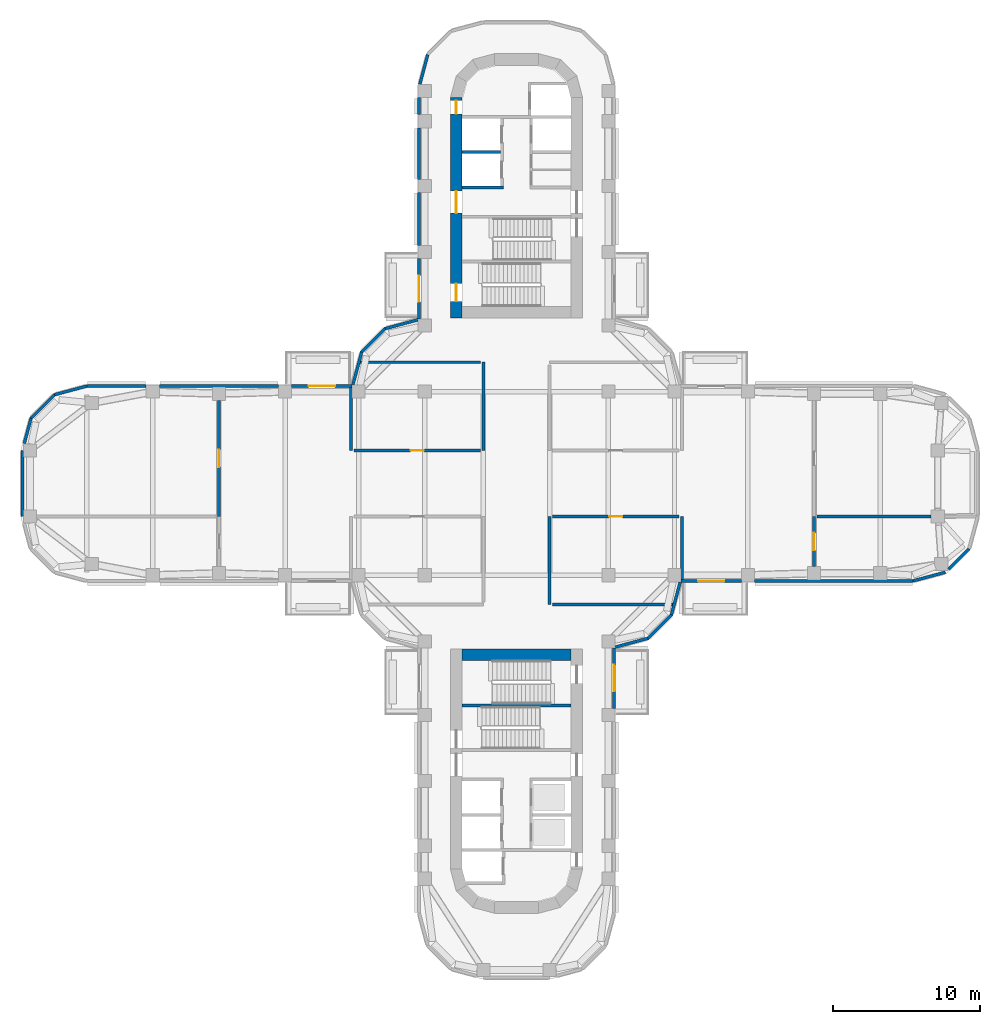
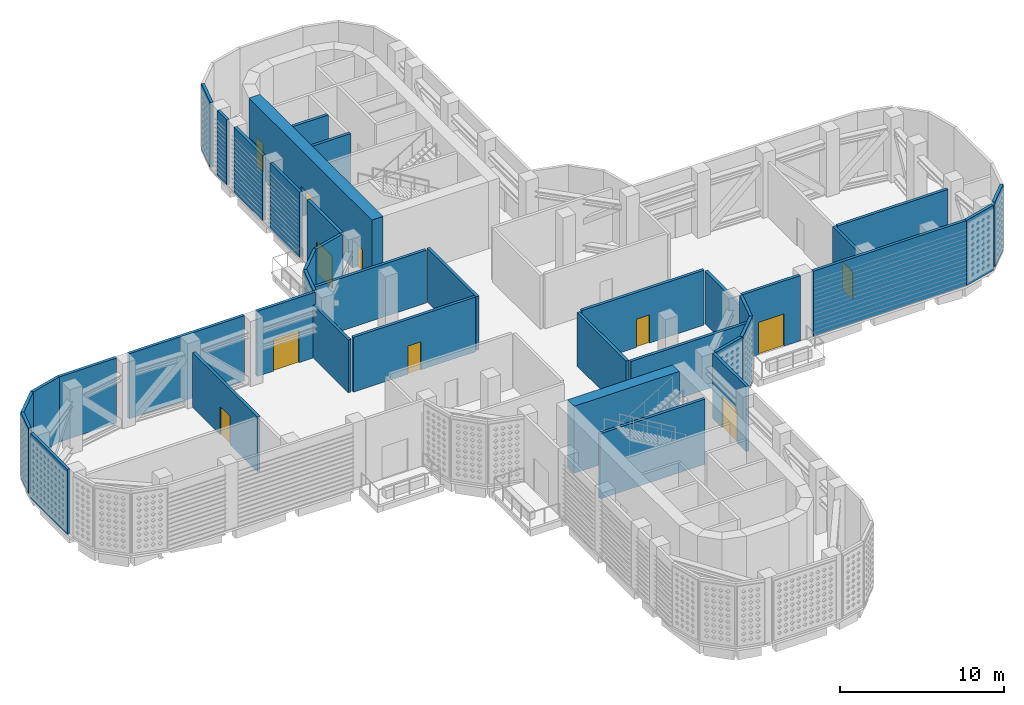
# One storey, part 6 of 20: 39 walls, 11 doors, 11 openings.
"""IFC4 building model written with IfcOpenShell, lengths in metres."""

from ifc_helpers import new_model, si_unit, direction, frame, frame_2d, origin, place, context, subcontext, project, spatial, polyline, rectangle, outline, extrude, material, layer, layer_set, type_object, element, fill, save


model = new_model("IFC4")

# Units and contexts
model_context = context("Model", 3, precision=1e-05, world=origin(), true_north=direction((0.0, 1.0)))
body_context = subcontext(model_context, "Body", "Model", "MODEL_VIEW")
ifc_project = project(units=[si_unit("LENGTHUNIT", "METRE"), si_unit("AREAUNIT", "SQUARE_METRE"), si_unit("VOLUMEUNIT", "CUBIC_METRE"), si_unit("PLANEANGLEUNIT", "RADIAN"), si_unit("MASSUNIT", "GRAM", prefix="KILO")], contexts=[model_context])

# Site, building, storey
site_placement = place(None, origin())
site = spatial("IfcSite", under=ifc_project, at=site_placement, CompositionType="ELEMENT")
building_placement = place(site_placement, origin())
building = spatial("IfcBuilding", under=site, at=building_placement, Name="Zarbagh Exchange Tower", CompositionType="ELEMENT")
storey_placement = place(building_placement, frame((0.0, 0.0, 136.0)))
storey = spatial("IfcBuildingStorey", under=building, at=storey_placement, Name="L32", CompositionType="ELEMENT", Elevation=136.0)

# Wall, opening, door
ifc_material_1 = material(Name="Concrete block partition", Category="concrete")
ifc_layer_1 = layer(ifc_material_1, 0.199951171875)
ifc_layer_set_1 = layer_set([ifc_layer_1], Name="Fire-rated block partition 200 EI 120")
wall_type_1 = type_object("IfcWallType", Name="Fire-rated block partition 200 EI 120", PredefinedType="PARTITIONING", material=ifc_layer_set_1)
wall_1_placement = place(storey_placement, frame((20.25, -5.659912109375, 0.0), z_axis=(0.0, 0.0, 1.0), x_axis=(0.0, 1.0, 0.0)))
wall_1 = element("IfcWall", 1, at=wall_1_placement, inside=storey, type_object=wall_type_1, Name="WL-L32-W017", PredefinedType="PARTITIONING", context=body_context, shape_type="SweptSolid", body=[
    extrude(rectangle(XDim=3.409912109375, YDim=0.199951171875, at=frame_2d((1.705078125, 0.0))), origin(), (0.0, 0.0, 1.0), 4.080810546875),
])
opening_1_placement = place(wall_1_placement, frame((1.10498046875, 0.0, 0.0)))
opening_1 = element("IfcOpeningElement", 2, at=opening_1_placement, cuts=wall_1, Name="Opening D05", PredefinedType="OPENING", context=body_context, shape_type="SweptSolid", body=[
    extrude(rectangle(XDim=1.199951171875, YDim=2.10009765625, at=frame_2d((0.60009765625, 1.050048828125))), frame((0.0, 0.10986328125, 0.0), z_axis=(0.0, -1.0, 0.0), x_axis=(1.0, 0.0, 0.0)), (0.0, 0.0, 1.0), 0.219970703125),
])
ifc_material_2 = material(Name="Steel door set", Category="steel")
door_type_1 = type_object("IfcDoorType", Name="Door single 1200x2100 EI 120", OperationType="SINGLE_SWING_LEFT", PredefinedType="DOOR", material=ifc_material_2)
door_1_placement = place(opening_1_placement, origin())
door_1 = element("IfcDoor", 3, at=door_1_placement, inside=storey, type_object=door_type_1, Name="D05", OperationType="SINGLE_SWING_LEFT", OverallHeight=2.10009765625, OverallWidth=1.199951171875, PredefinedType="DOOR", context=body_context, shape_type="SweptSolid", body=[
    extrude(rectangle(XDim=1.199951171875, YDim=2.10009765625, at=frame_2d((0.60009765625, 1.050048828125))), frame((0.0, 0.02490234375, 0.0), z_axis=(0.0, -1.0, 0.0), x_axis=(1.0, 0.0, 0.0)), (0.0, 0.0, 1.0), 0.050048828125),
])
fill(opening_1, door_1)

# Wall
wall_2_placement = place(storey_placement, frame((20.449951171875, -2.25, 0.0), z_axis=(0.0, 0.0, 1.0), x_axis=(1.0, 0.0, 0.0)))
element("IfcWall", 4, at=wall_2_placement, inside=storey, type_object=wall_type_1, Name="WL-L32-W019", PredefinedType="PARTITIONING", context=body_context, shape_type="SweptSolid", body=[
    extrude(rectangle(XDim=7.77001953125, YDim=0.199951171875, at=frame_2d((3.885009765625, 0.0))), origin(), (0.0, 0.0, 1.0), 4.080810546875),
])

# Wall, opening, door
wall_3_placement = place(storey_placement, frame((-20.25, 5.659912109375, 0.0), z_axis=(0.0, 0.0, 1.0), x_axis=(0.0, -1.0, 0.0)))
wall_3 = element("IfcWall", 5, at=wall_3_placement, inside=storey, type_object=wall_type_1, Name="WL-L32-W021", PredefinedType="PARTITIONING", context=body_context, shape_type="SweptSolid", body=[
    extrude(rectangle(XDim=7.909912109375, YDim=0.199951171875, at=frame_2d((3.955078125, 0.0))), origin(), (0.0, 0.0, 1.0), 4.080810546875),
])
opening_2_placement = place(wall_3_placement, frame((3.35498046875, 0.0, 0.0)))
opening_2 = element("IfcOpeningElement", 6, at=opening_2_placement, cuts=wall_3, Name="Opening D47", PredefinedType="OPENING", context=body_context, shape_type="SweptSolid", body=[
    extrude(rectangle(XDim=1.199951171875, YDim=2.10009765625, at=frame_2d((0.60009765625, 1.050048828125))), frame((0.0, 0.10986328125, 0.0), z_axis=(0.0, -1.0, 0.0), x_axis=(1.0, 0.0, 0.0)), (0.0, 0.0, 1.0), 0.219970703125),
])
door_2_placement = place(opening_2_placement, origin())
door_2 = element("IfcDoor", 7, at=door_2_placement, inside=storey, type_object=door_type_1, Name="D07", OperationType="SINGLE_SWING_LEFT", OverallHeight=2.10009765625, OverallWidth=1.199951171875, PredefinedType="DOOR", context=body_context, shape_type="SweptSolid", body=[
    extrude(rectangle(XDim=1.199951171875, YDim=2.10009765625, at=frame_2d((0.60009765625, 1.050048828125))), frame((0.0, 0.02490234375, 0.0), z_axis=(0.0, -1.0, 0.0), x_axis=(1.0, 0.0, 0.0)), (0.0, 0.0, 1.0), 0.050048828125),
])
fill(opening_2, door_2)

# Walls
ifc_layer_2 = layer(ifc_material_1, 0.199951171875)
ifc_layer_set_2 = layer_set([ifc_layer_2], Name="Fire-rated block partition 200 EI 60")
wall_type_2 = type_object("IfcWallType", Name="Fire-rated block partition 200 EI 60", PredefinedType="PARTITIONING", material=ifc_layer_set_2)
wall_4_placement = place(storey_placement, frame((2.25, -2.25, 0.0), z_axis=(0.0, 0.0, 1.0), x_axis=(0.0, -1.0, 0.0)))
element("IfcWall", 8, at=wall_4_placement, inside=storey, type_object=wall_type_2, Name="WL-L32-W003", PredefinedType="PARTITIONING", context=body_context, shape_type="SweptSolid", body=[
    extrude(rectangle(XDim=6.0, YDim=0.199951171875, at=frame_2d((3.0, 0.0))), origin(), (0.0, 0.0, 1.0), 3.994384765625),
])
wall_5_placement = place(storey_placement, frame((2.449951171875, -8.25, 0.0), z_axis=(0.0, 0.0, 1.0), x_axis=(1.0, 0.0, 0.0)))
element("IfcWall", 9, at=wall_5_placement, inside=storey, type_object=wall_type_2, Name="WL-L32-W004", PredefinedType="PARTITIONING", context=body_context, shape_type="SweptSolid", body=[
    extrude(rectangle(XDim=8.398193359375, YDim=0.199951171875, at=frame_2d((4.19921875, 0.0))), origin(), (0.0, 0.0, 1.0), 3.929931640625),
])
wall_6_placement = place(storey_placement, frame((-2.25, 2.25, 0.0), z_axis=(0.0, 0.0, 1.0), x_axis=(0.0, 1.0, 0.0)))
element("IfcWall", 10, at=wall_6_placement, inside=storey, type_object=wall_type_2, Name="WL-L32-W005", PredefinedType="PARTITIONING", context=body_context, shape_type="SweptSolid", body=[
    extrude(rectangle(XDim=6.0, YDim=0.199951171875, at=frame_2d((3.0, 0.0))), origin(), (0.0, 0.0, 1.0), 3.994384765625),
])
wall_7_placement = place(storey_placement, frame((-2.449951171875, 8.25, 0.0), z_axis=(0.0, 0.0, 1.0), x_axis=(-1.0, 0.0, 0.0)))
element("IfcWall", 11, at=wall_7_placement, inside=storey, type_object=wall_type_2, Name="WL-L32-W006", PredefinedType="PARTITIONING", context=body_context, shape_type="SweptSolid", body=[
    extrude(rectangle(XDim=8.398193359375, YDim=0.199951171875, at=frame_2d((4.19921875, 0.0))), origin(), (0.0, 0.0, 1.0), 3.929931640625),
])
wall_8_placement = place(storey_placement, frame((11.25, -2.25, 0.0), z_axis=(0.0, 0.0, 1.0), x_axis=(0.0, -1.0, 0.0)))
element("IfcWall", 12, at=wall_8_placement, inside=storey, type_object=wall_type_2, Name="WL-L32-W011", PredefinedType="PARTITIONING", context=body_context, shape_type="SweptSolid", body=[
    extrude(rectangle(XDim=4.5, YDim=0.199951171875, at=frame_2d((2.25, 0.0))), origin(), (0.0, 0.0, 1.0), 3.929931640625),
])

# Wall, opening, door
wall_9_placement = place(storey_placement, frame((11.050048828125, -2.25, 0.0), z_axis=(0.0, 0.0, 1.0), x_axis=(-1.0, 0.0, 0.0)))
wall_9 = element("IfcWall", 13, at=wall_9_placement, inside=storey, type_object=wall_type_2, Name="WL-L32-W012", PredefinedType="PARTITIONING", context=body_context, shape_type="SweptSolid", body=[
    extrude(rectangle(XDim=8.60009765625, YDim=0.199951171875, at=frame_2d((4.300048828125, 0.0))), origin(), (0.0, 0.0, 1.0), 4.080810546875),
])
opening_3_placement = place(wall_9_placement, frame((3.85009765625, 0.0, 0.0)))
opening_3 = element("IfcOpeningElement", 14, at=opening_3_placement, cuts=wall_9, Name="Opening D02", PredefinedType="OPENING", context=body_context, shape_type="SweptSolid", body=[
    extrude(rectangle(XDim=0.89990234375, YDim=2.10009765625, at=frame_2d((0.449951171875, 1.050048828125))), frame((0.0, 0.10986328125, 0.0), z_axis=(0.0, -1.0, 0.0), x_axis=(1.0, 0.0, 0.0)), (0.0, 0.0, 1.0), 0.219970703125),
])
door_type_2 = type_object("IfcDoorType", Name="Door single 900x2100 EI 60", OperationType="SINGLE_SWING_LEFT", PredefinedType="DOOR", material=ifc_material_2)
door_3_placement = place(opening_3_placement, origin())
door_3 = element("IfcDoor", 15, at=door_3_placement, inside=storey, type_object=door_type_2, Name="D02", OperationType="SINGLE_SWING_LEFT", OverallHeight=2.10009765625, OverallWidth=0.89990234375, PredefinedType="DOOR", context=body_context, shape_type="SweptSolid", body=[
    extrude(rectangle(XDim=0.89990234375, YDim=2.10009765625, at=frame_2d((0.449951171875, 1.050048828125))), frame((0.0, 0.02490234375, 0.0), z_axis=(0.0, -1.0, 0.0), x_axis=(1.0, 0.0, 0.0)), (0.0, 0.0, 1.0), 0.050048828125),
])
fill(opening_3, door_3)

# Wall
wall_10_placement = place(storey_placement, frame((-11.25, 2.25, 0.0), z_axis=(0.0, 0.0, 1.0), x_axis=(0.0, 1.0, 0.0)))
element("IfcWall", 16, at=wall_10_placement, inside=storey, type_object=wall_type_2, Name="WL-L32-W013", PredefinedType="PARTITIONING", context=body_context, shape_type="SweptSolid", body=[
    extrude(rectangle(XDim=4.5, YDim=0.199951171875, at=frame_2d((2.25, 0.0))), origin(), (0.0, 0.0, 1.0), 3.929931640625),
])

# Wall, opening, door
wall_11_placement = place(storey_placement, frame((-11.050048828125, 2.25, 0.0), z_axis=(0.0, 0.0, 1.0), x_axis=(1.0, 0.0, 0.0)))
wall_11 = element("IfcWall", 17, at=wall_11_placement, inside=storey, type_object=wall_type_2, Name="WL-L32-W014", PredefinedType="PARTITIONING", context=body_context, shape_type="SweptSolid", body=[
    extrude(rectangle(XDim=8.60009765625, YDim=0.199951171875, at=frame_2d((4.300048828125, 0.0))), origin(), (0.0, 0.0, 1.0), 4.080810546875),
])
opening_4_placement = place(wall_11_placement, frame((3.85009765625, 0.0, 0.0)))
opening_4 = element("IfcOpeningElement", 18, at=opening_4_placement, cuts=wall_11, Name="Opening D03", PredefinedType="OPENING", context=body_context, shape_type="SweptSolid", body=[
    extrude(rectangle(XDim=0.89990234375, YDim=2.10009765625, at=frame_2d((0.449951171875, 1.050048828125))), frame((0.0, 0.10986328125, 0.0), z_axis=(0.0, -1.0, 0.0), x_axis=(1.0, 0.0, 0.0)), (0.0, 0.0, 1.0), 0.219970703125),
])
door_4_placement = place(opening_4_placement, origin())
door_4 = element("IfcDoor", 19, at=door_4_placement, inside=storey, type_object=door_type_2, Name="D03", OperationType="SINGLE_SWING_LEFT", OverallHeight=2.10009765625, OverallWidth=0.89990234375, PredefinedType="DOOR", context=body_context, shape_type="SweptSolid", body=[
    extrude(rectangle(XDim=0.89990234375, YDim=2.10009765625, at=frame_2d((0.449951171875, 1.050048828125))), frame((0.0, 0.02490234375, 0.0), z_axis=(0.0, -1.0, 0.0), x_axis=(1.0, 0.0, 0.0)), (0.0, 0.0, 1.0), 0.050048828125),
])
fill(opening_4, door_4)

# Walls
ifc_material_3 = material(Name="Precast concrete C50/60", Category="concrete")
ifc_layer_3 = layer(ifc_material_3, 0.199951171875)
ifc_layer_set_3 = layer_set([ifc_layer_3], Name="Plant wall, precast concrete C50/60")
wall_type_3 = type_object("IfcWallType", Name="Plant wall, precast concrete C50/60", PredefinedType="SOLIDWALL", material=ifc_layer_set_3)
wall_12_placement = place(storey_placement, origin())
element("IfcWall", 20, at=wall_12_placement, inside=storey, type_object=wall_type_3, Name="PW05 plant wall", PredefinedType="SOLIDWALL", context=body_context, shape_type="SweptSolid", body=[
    extrude(outline(polyline([(6.75244140625, -11.228759765625), (8.98974609375, -10.629150390625), (8.88623046875, -10.449951171875), (6.70068359375, -11.035400390625), (6.75244140625, -11.228759765625)])), origin(), (0.0, 0.0, 1.0), 4.85009765625),
])
wall_13_placement = place(storey_placement, origin())
element("IfcWall", 21, at=wall_13_placement, inside=storey, type_object=wall_type_3, Name="PW06 plant wall", PredefinedType="SOLIDWALL", context=body_context, shape_type="SweptSolid", body=[
    extrude(outline(polyline([(8.98974609375, -10.629150390625), (10.629150390625, -8.98974609375), (10.449951171875, -8.88623046875), (8.88623046875, -10.449951171875), (8.98974609375, -10.629150390625)])), origin(), (0.0, 0.0, 1.0), 4.85009765625),
])
wall_14_placement = place(storey_placement, origin())
element("IfcWall", 22, at=wall_14_placement, inside=storey, type_object=wall_type_3, Name="PW07 plant wall", PredefinedType="SOLIDWALL", context=body_context, shape_type="SweptSolid", body=[
    extrude(outline(polyline([(10.629150390625, -8.98974609375), (11.228759765625, -6.75244140625), (11.035400390625, -6.70068359375), (10.449951171875, -8.88623046875), (10.629150390625, -8.98974609375)])), origin(), (0.0, 0.0, 1.0), 4.85009765625),
])
wall_15_placement = place(storey_placement, origin())
element("IfcWall", 23, at=wall_15_placement, inside=storey, type_object=wall_type_3, Name="PW49 plant wall", PredefinedType="SOLIDWALL", context=body_context, shape_type="SweptSolid", body=[
    extrude(outline(polyline([(16.199951171875, -6.72998046875), (26.997314453125, -6.72998046875), (26.970947265625, -6.530029296875), (16.199951171875, -6.530029296875), (16.199951171875, -6.72998046875)])), origin(), (0.0, 0.0, 1.0), 4.85009765625),
])
wall_16_placement = place(storey_placement, origin())
element("IfcWall", 24, at=wall_16_placement, inside=storey, type_object=wall_type_3, Name="PW50 plant wall", PredefinedType="SOLIDWALL", context=body_context, shape_type="SweptSolid", body=[
    extrude(outline(polyline([(26.997314453125, -6.72998046875), (29.23974609375, -6.129150390625), (29.13623046875, -5.949951171875), (26.970947265625, -6.530029296875), (26.997314453125, -6.72998046875)])), origin(), (0.0, 0.0, 1.0), 4.85009765625),
])
wall_17_placement = place(storey_placement, origin())
element("IfcWall", 25, at=wall_17_placement, inside=storey, type_object=wall_type_3, Name="PW51 plant wall", PredefinedType="SOLIDWALL", context=body_context, shape_type="SweptSolid", body=[
    extrude(outline(polyline([(29.46875, -5.900146484375), (30.879150390625, -4.48974609375), (30.699951171875, -4.38623046875), (29.327392578125, -5.758544921875), (29.46875, -5.900146484375)])), origin(), (0.0, 0.0, 1.0), 4.85009765625),
])
wall_18_placement = place(storey_placement, origin())
element("IfcWall", 26, at=wall_18_placement, inside=storey, type_object=wall_type_3, Name="PW65 plant wall", PredefinedType="SOLIDWALL", context=body_context, shape_type="SweptSolid", body=[
    extrude(outline(polyline([(-6.129150390625, 29.23974609375), (-6.675048828125, 27.202392578125), (-6.48193359375, 27.150634765625), (-5.949951171875, 29.13623046875), (-6.129150390625, 29.23974609375)])), origin(), (0.0, 0.0, 1.0), 4.85009765625),
])
wall_19_placement = place(storey_placement, origin())
element("IfcWall", 27, at=wall_19_placement, inside=storey, type_object=wall_type_3, Name="PW66 plant wall", PredefinedType="SOLIDWALL", context=body_context, shape_type="SweptSolid", body=[
    extrude(outline(polyline([(-6.72998046875, 26.25), (-6.72998046875, 25.10009765625), (-6.530029296875, 25.10009765625), (-6.530029296875, 26.25), (-6.72998046875, 26.25)])), origin(), (0.0, 0.0, 1.0), 4.85009765625),
])
wall_20_placement = place(storey_placement, origin())
element("IfcWall", 28, at=wall_20_placement, inside=storey, type_object=wall_type_3, Name="PW66 plant wall", PredefinedType="SOLIDWALL", context=body_context, shape_type="SweptSolid", body=[
    extrude(outline(polyline([(-6.72998046875, 24.199951171875), (-6.72998046875, 20.699951171875), (-6.530029296875, 20.699951171875), (-6.530029296875, 24.199951171875), (-6.72998046875, 24.199951171875)])), origin(), (0.0, 0.0, 1.0), 4.85009765625),
])
wall_21_placement = place(storey_placement, origin())
element("IfcWall", 29, at=wall_21_placement, inside=storey, type_object=wall_type_3, Name="PW66 plant wall", PredefinedType="SOLIDWALL", context=body_context, shape_type="SweptSolid", body=[
    extrude(outline(polyline([(-6.72998046875, 19.800048828125), (-6.72998046875, 16.199951171875), (-6.530029296875, 16.199951171875), (-6.530029296875, 19.800048828125), (-6.72998046875, 19.800048828125)])), origin(), (0.0, 0.0, 1.0), 4.85009765625),
])
wall_22_placement = place(storey_placement, origin())
element("IfcWall", 30, at=wall_22_placement, inside=storey, type_object=wall_type_3, Name="PW29 plant wall", PredefinedType="SOLIDWALL", context=body_context, shape_type="SweptSolid", body=[
    extrude(outline(polyline([(-6.75244140625, 11.228759765625), (-8.98974609375, 10.629150390625), (-8.88623046875, 10.449951171875), (-6.70068359375, 11.035400390625), (-6.75244140625, 11.228759765625)])), origin(), (0.0, 0.0, 1.0), 4.85009765625),
])
wall_23_placement = place(storey_placement, origin())
element("IfcWall", 31, at=wall_23_placement, inside=storey, type_object=wall_type_3, Name="PW30 plant wall", PredefinedType="SOLIDWALL", context=body_context, shape_type="SweptSolid", body=[
    extrude(outline(polyline([(-8.98974609375, 10.629150390625), (-10.629150390625, 8.98974609375), (-10.449951171875, 8.88623046875), (-8.88623046875, 10.449951171875), (-8.98974609375, 10.629150390625)])), origin(), (0.0, 0.0, 1.0), 4.85009765625),
])
wall_24_placement = place(storey_placement, origin())
element("IfcWall", 32, at=wall_24_placement, inside=storey, type_object=wall_type_3, Name="PW31 plant wall", PredefinedType="SOLIDWALL", context=body_context, shape_type="SweptSolid", body=[
    extrude(outline(polyline([(-10.629150390625, 8.98974609375), (-11.228759765625, 6.75244140625), (-11.035400390625, 6.70068359375), (-10.449951171875, 8.88623046875), (-10.629150390625, 8.98974609375)])), origin(), (0.0, 0.0, 1.0), 4.85009765625),
])
wall_25_placement = place(storey_placement, origin())
element("IfcWall", 33, at=wall_25_placement, inside=storey, type_object=wall_type_3, Name="PW32 plant wall", PredefinedType="SOLIDWALL", context=body_context, shape_type="SweptSolid", body=[
    extrude(outline(polyline([(-16.199951171875, 6.72998046875), (-24.300048828125, 6.72998046875), (-24.300048828125, 6.530029296875), (-16.199951171875, 6.530029296875), (-16.199951171875, 6.72998046875)])), origin(), (0.0, 0.0, 1.0), 4.85009765625),
])
wall_26_placement = place(storey_placement, origin())
element("IfcWall", 34, at=wall_26_placement, inside=storey, type_object=wall_type_3, Name="PW32 plant wall", PredefinedType="SOLIDWALL", context=body_context, shape_type="SweptSolid", body=[
    extrude(outline(polyline([(-25.199951171875, 6.72998046875), (-29.247314453125, 6.72998046875), (-29.220947265625, 6.530029296875), (-25.199951171875, 6.530029296875), (-25.199951171875, 6.72998046875)])), origin(), (0.0, 0.0, 1.0), 4.85009765625),
])
wall_27_placement = place(storey_placement, origin())
element("IfcWall", 35, at=wall_27_placement, inside=storey, type_object=wall_type_3, Name="PW33 plant wall", PredefinedType="SOLIDWALL", context=body_context, shape_type="SweptSolid", body=[
    extrude(outline(polyline([(-29.247314453125, 6.72998046875), (-31.48974609375, 6.129150390625), (-31.38623046875, 5.949951171875), (-29.220947265625, 6.530029296875), (-29.247314453125, 6.72998046875)])), origin(), (0.0, 0.0, 1.0), 4.85009765625),
])
wall_28_placement = place(storey_placement, origin())
element("IfcWall", 36, at=wall_28_placement, inside=storey, type_object=wall_type_3, Name="PW34 plant wall", PredefinedType="SOLIDWALL", context=body_context, shape_type="SweptSolid", body=[
    extrude(outline(polyline([(-31.48974609375, 6.129150390625), (-33.129150390625, 4.48974609375), (-32.949951171875, 4.38623046875), (-31.38623046875, 5.949951171875), (-31.48974609375, 6.129150390625)])), origin(), (0.0, 0.0, 1.0), 4.85009765625),
])
wall_29_placement = place(storey_placement, origin())
element("IfcWall", 37, at=wall_29_placement, inside=storey, type_object=wall_type_3, Name="PW35 plant wall", PredefinedType="SOLIDWALL", context=body_context, shape_type="SweptSolid", body=[
    extrude(outline(polyline([(-33.129150390625, 4.48974609375), (-33.5947265625, 2.75244140625), (-33.401611328125, 2.70068359375), (-32.949951171875, 4.38623046875), (-33.129150390625, 4.48974609375)])), origin(), (0.0, 0.0, 1.0), 4.85009765625),
])
wall_30_placement = place(storey_placement, origin())
element("IfcWall", 38, at=wall_30_placement, inside=storey, type_object=wall_type_3, Name="PW36 plant wall", PredefinedType="SOLIDWALL", context=body_context, shape_type="SweptSolid", body=[
    extrude(outline(polyline([(-33.72998046875, 2.247314453125), (-33.72998046875, -2.247314453125), (-33.530029296875, -2.220947265625), (-33.530029296875, 2.220947265625), (-33.72998046875, 2.247314453125)])), origin(), (0.0, 0.0, 1.0), 4.85009765625),
])

# Wall, openings, doors
ifc_material_4 = material(Name="Concrete C60/75", Category="concrete")
ifc_layer_4 = layer(ifc_material_4, 0.800048828125)
ifc_layer_set_4 = layer_set([ifc_layer_4], Name="RC core wall 800 C60/75")
wall_type_4 = type_object("IfcWallType", Name="RC core wall 800 C60/75", PredefinedType="SHEAR", material=ifc_layer_set_4)
wall_31_placement = place(storey_placement, frame((-4.10009765625, 11.25, 0.0), z_axis=(0.0, 0.0, 1.0), x_axis=(0.0, 1.0, 0.0)))
wall_31 = element("IfcWall", 39, at=wall_31_placement, inside=storey, type_object=wall_type_4, Name="CW3 core N W", PredefinedType="SHEAR", context=body_context, shape_type="SweptSolid", body=[
    extrude(rectangle(XDim=15.0, YDim=0.800048828125, at=frame_2d((7.5, 0.0))), origin(), (0.0, 0.0, 1.0), 5.0),
])
opening_5_placement = place(wall_31_placement, frame((7.14990234375, 0.0, 0.0)))
opening_5 = element("IfcOpeningElement", 40, at=opening_5_placement, cuts=wall_31, Name="Opening CD1-1500", PredefinedType="OPENING", context=body_context, shape_type="SweptSolid", body=[
    extrude(rectangle(XDim=1.5, YDim=2.300048828125, at=frame_2d((0.75, 1.14990234375))), frame((0.0, 0.409912109375, 0.0), z_axis=(0.0, -1.0, 0.0), x_axis=(1.0, 0.0, 0.0)), (0.0, 0.0, 1.0), 0.820068359375),
])
opening_6_placement = place(wall_31_placement, frame((13.89990234375, 0.0, 0.0)))
opening_6 = element("IfcOpeningElement", 41, at=opening_6_placement, cuts=wall_31, Name="Opening CD2-900", PredefinedType="OPENING", context=body_context, shape_type="SweptSolid", body=[
    extrude(rectangle(XDim=0.89990234375, YDim=2.10009765625, at=frame_2d((0.449951171875, 1.050048828125))), frame((0.0, 0.409912109375, 0.0), z_axis=(0.0, -1.0, 0.0), x_axis=(1.0, 0.0, 0.0)), (0.0, 0.0, 1.0), 0.820068359375),
])
opening_7_placement = place(wall_31_placement, frame((1.14990234375, 0.0, 0.0)))
opening_7 = element("IfcOpeningElement", 42, at=opening_7_placement, cuts=wall_31, Name="Opening SD1-1200", PredefinedType="OPENING", context=body_context, shape_type="SweptSolid", body=[
    extrude(rectangle(XDim=1.199951171875, YDim=2.10009765625, at=frame_2d((0.60009765625, 1.050048828125))), frame((0.0, 0.409912109375, 0.0), z_axis=(0.0, -1.0, 0.0), x_axis=(1.0, 0.0, 0.0)), (0.0, 0.0, 1.0), 0.820068359375),
])
ifc_material_5 = material(Name="Steel", Category="steel")
door_type_3 = type_object("IfcDoorType", Name="Exit stair door 1200 x 2100", OperationType="NOTDEFINED", PredefinedType="DOOR", material=ifc_material_5)
door_5_placement = place(opening_7_placement, origin())
door_5 = element("IfcDoor", 43, at=door_5_placement, inside=storey, type_object=door_type_3, Name="North core stair door ST2", OperationType="SINGLE_SWING_LEFT", OverallHeight=2.10009765625, OverallWidth=1.199951171875, PredefinedType="DOOR", context=body_context, shape_type="SweptSolid", body=[
    extrude(rectangle(XDim=1.199951171875, YDim=2.10009765625, at=frame_2d((0.60009765625, 1.050048828125))), frame((0.0, 0.02490234375, 0.0), z_axis=(0.0, -1.0, 0.0), x_axis=(1.0, 0.0, 0.0)), (0.0, 0.0, 1.0), 0.050048828125),
])
fill(opening_7, door_5)
door_type_4 = type_object("IfcDoorType", Name="Firefighting lobby door 900 x 2100", OperationType="NOTDEFINED", PredefinedType="DOOR", material=ifc_material_5)
door_6_placement = place(opening_6_placement, origin())
door_6 = element("IfcDoor", 44, at=door_6_placement, inside=storey, type_object=door_type_4, Name="North core firefighting lobby door FF-W", OperationType="SINGLE_SWING_RIGHT", OverallHeight=2.10009765625, OverallWidth=0.89990234375, PredefinedType="DOOR", context=body_context, shape_type="SweptSolid", body=[
    extrude(rectangle(XDim=0.89990234375, YDim=2.10009765625, at=frame_2d((0.449951171875, 1.050048828125))), frame((0.0, 0.02490234375, 0.0), z_axis=(0.0, -1.0, 0.0), x_axis=(1.0, 0.0, 0.0)), (0.0, 0.0, 1.0), 0.050048828125),
])
fill(opening_6, door_6)
door_type_5 = type_object("IfcDoorType", Name="Lift lobby double door 1500 x 2300", OperationType="NOTDEFINED", PredefinedType="DOOR", material=ifc_material_5)
door_7_placement = place(opening_5_placement, origin())
door_7 = element("IfcDoor", 45, at=door_7_placement, inside=storey, type_object=door_type_5, Name="North core lift lobby door LOBBY-W", OperationType="DOUBLE_DOOR_SINGLE_SWING", OverallHeight=2.300048828125, OverallWidth=1.5, PredefinedType="DOOR", context=body_context, shape_type="SweptSolid", body=[
    extrude(rectangle(XDim=1.5, YDim=2.300048828125, at=frame_2d((0.75, 1.14990234375))), frame((0.0, 0.02490234375, 0.0), z_axis=(0.0, -1.0, 0.0), x_axis=(1.0, 0.0, 0.0)), (0.0, 0.0, 1.0), 0.050048828125),
])
fill(opening_5, door_7)

# Walls
wall_32_placement = place(storey_placement, frame((-3.699951171875, -11.64990234375, 0.0), z_axis=(0.0, 0.0, 1.0), x_axis=(1.0, 0.0, 0.0)))
element("IfcWall", 46, at=wall_32_placement, inside=storey, type_object=wall_type_4, Name="CW3 core S inner end", PredefinedType="SHEAR", context=body_context, shape_type="SweptSolid", body=[
    extrude(rectangle(XDim=7.39990234375, YDim=0.800048828125, at=frame_2d((3.699951171875, 0.0))), origin(), (0.0, 0.0, 1.0), 5.0),
])
ifc_material_6 = material(Name="Dense blockwork", Category="masonry")
ifc_layer_5 = layer(ifc_material_6, 0.199951171875)
ifc_layer_set_5 = layer_set([ifc_layer_5], Name="Shaft wall 200 mm blockwork")
wall_type_5 = type_object("IfcWallType", Name="Shaft wall 200 mm blockwork", PredefinedType="PARTITIONING", material=ifc_layer_set_5)
wall_33_placement = place(storey_placement, frame((-3.699951171875, 20.14990234375, 0.0), z_axis=(0.0, 0.0, 1.0), x_axis=(1.0, 0.0, 0.0)))
element("IfcWall", 47, at=wall_33_placement, inside=storey, type_object=wall_type_5, Name="North core shaft wall AB-W", PredefinedType="PARTITIONING", context=body_context, shape_type="SweptSolid", body=[
    extrude(rectangle(XDim=2.800048828125, YDim=0.199951171875, at=frame_2d((1.39990234375, 0.0))), origin(), (0.0, 0.0, 1.0), 4.85009765625),
])
wall_34_placement = place(storey_placement, frame((-3.699951171875, 22.550048828125, 0.0), z_axis=(0.0, 0.0, 1.0), x_axis=(1.0, 0.0, 0.0)))
element("IfcWall", 48, at=wall_34_placement, inside=storey, type_object=wall_type_5, Name="North core shaft wall TR-W", PredefinedType="PARTITIONING", context=body_context, shape_type="SweptSolid", body=[
    extrude(rectangle(XDim=2.599853515625, YDim=0.199951171875, at=frame_2d((1.2998046875, 0.0))), origin(), (0.0, 0.0, 1.0), 4.85009765625),
])
ifc_material_7 = material(Name="Concrete C40/50", Category="concrete")
ifc_layer_6 = layer(ifc_material_7, 0.199951171875)
ifc_layer_set_6 = layer_set([ifc_layer_6], Name="Stair enclosure wall 200 mm RC C40/50")
wall_type_6 = type_object("IfcWallType", Name="Stair enclosure wall 200 mm RC C40/50", PredefinedType="SHEAR", material=ifc_layer_set_6)
wall_35_placement = place(storey_placement, frame((3.699951171875, -15.10009765625, 0.0), z_axis=(0.0, 0.0, 1.0), x_axis=(-1.0, 0.0, 0.0)))
element("IfcWall", 49, at=wall_35_placement, inside=storey, type_object=wall_type_6, Name="South core stair wall ST12", PredefinedType="SHEAR", context=body_context, shape_type="SweptSolid", body=[
    extrude(rectangle(XDim=7.39990234375, YDim=0.199951171875, at=frame_2d((3.699951171875, 0.0))), origin(), (0.0, 0.0, 1.0), 4.85009765625),
])

# Wall, opening, door
ifc_layer_7 = layer(ifc_material_3, 0.199951171875)
ifc_layer_set_7 = layer_set([ifc_layer_7], Name="Terrace door wall, precast concrete C50/60")
wall_type_7 = type_object("IfcWallType", Name="Terrace door wall, precast concrete C50/60", PredefinedType="SOLIDWALL", material=ifc_layer_set_7)
wall_36_placement = place(storey_placement, frame((6.6298828125, -15.300048828125, 0.0), z_axis=(0.0, 0.0, 1.0), x_axis=(0.0, 1.0, 0.0)))
wall_36 = element("IfcWall", 50, at=wall_36_placement, inside=storey, type_object=wall_type_7, Name="TW34 door wall", PredefinedType="SOLIDWALL", context=body_context, shape_type="SweptSolid", body=[
    extrude(rectangle(XDim=4.10009765625, YDim=0.199951171875, at=frame_2d((2.050048828125, 0.0))), origin(), (0.0, 0.0, 1.0), 4.85009765625),
])
opening_8_placement = place(wall_36_placement, frame((1.14990234375, 0.0, 0.0)))
opening_8 = element("IfcOpeningElement", 51, at=opening_8_placement, cuts=wall_36, Name="Opening TD02", PredefinedType="OPENING", context=body_context, shape_type="SweptSolid", body=[
    extrude(rectangle(XDim=1.800048828125, YDim=2.39990234375, at=frame_2d((0.89990234375, 1.199951171875))), frame((0.0, 0.10986328125, 0.0), z_axis=(0.0, -1.0, 0.0), x_axis=(1.0, 0.0, 0.0)), (0.0, 0.0, 1.0), 0.219970703125),
])
ifc_material_8 = material(Name="Anodised aluminium and glass", Category="aluminium")
door_type_6 = type_object("IfcDoorType", Name="Terrace door, double leaf, aluminium and glass", OperationType="DOUBLE_DOOR_DOUBLE_SWING", PredefinedType="DOOR", material=ifc_material_8)
door_8_placement = place(opening_8_placement, origin())
door_8 = element("IfcDoor", 52, at=door_8_placement, inside=storey, type_object=door_type_6, Name="TD02 terrace door", OperationType="SINGLE_SWING_LEFT", OverallHeight=2.39990234375, OverallWidth=1.800048828125, PredefinedType="DOOR", context=body_context, shape_type="SweptSolid", body=[
    extrude(rectangle(XDim=1.800048828125, YDim=2.39990234375, at=frame_2d((0.89990234375, 1.199951171875))), frame((0.0, 0.02490234375, 0.0), z_axis=(0.0, -1.0, 0.0), x_axis=(1.0, 0.0, 0.0)), (0.0, 0.0, 1.0), 0.050048828125),
])
fill(opening_8, door_8)

wall_37_placement = place(storey_placement, frame((11.199951171875, -6.6298828125, 0.0), z_axis=(0.0, 0.0, 1.0), x_axis=(1.0, 0.0, 0.0)))
wall_37 = element("IfcWall", 53, at=wall_37_placement, inside=storey, type_object=wall_type_7, Name="TW44 door wall", PredefinedType="SOLIDWALL", context=body_context, shape_type="SweptSolid", body=[
    extrude(rectangle(XDim=4.10009765625, YDim=0.199951171875, at=frame_2d((2.050048828125, 0.0))), origin(), (0.0, 0.0, 1.0), 4.85009765625),
])
opening_9_placement = place(wall_37_placement, frame((1.14990234375, 0.0, 0.0)))
opening_9 = element("IfcOpeningElement", 54, at=opening_9_placement, cuts=wall_37, Name="Opening TD02", PredefinedType="OPENING", context=body_context, shape_type="SweptSolid", body=[
    extrude(rectangle(XDim=1.800048828125, YDim=2.39990234375, at=frame_2d((0.89990234375, 1.199951171875))), frame((0.0, 0.10986328125, 0.0), z_axis=(0.0, -1.0, 0.0), x_axis=(1.0, 0.0, 0.0)), (0.0, 0.0, 1.0), 0.219970703125),
])
door_9_placement = place(opening_9_placement, origin())
door_9 = element("IfcDoor", 55, at=door_9_placement, inside=storey, type_object=door_type_6, Name="TD02 terrace door", OperationType="SINGLE_SWING_LEFT", OverallHeight=2.39990234375, OverallWidth=1.800048828125, PredefinedType="DOOR", context=body_context, shape_type="SweptSolid", body=[
    extrude(rectangle(XDim=1.800048828125, YDim=2.39990234375, at=frame_2d((0.89990234375, 1.199951171875))), frame((0.0, 0.02490234375, 0.0), z_axis=(0.0, -1.0, 0.0), x_axis=(1.0, 0.0, 0.0)), (0.0, 0.0, 1.0), 0.050048828125),
])
fill(opening_9, door_9)

wall_38_placement = place(storey_placement, frame((-6.6298828125, 15.300048828125, 0.0), z_axis=(0.0, 0.0, 1.0), x_axis=(0.0, -1.0, 0.0)))
wall_38 = element("IfcWall", 56, at=wall_38_placement, inside=storey, type_object=wall_type_7, Name="TW47 door wall", PredefinedType="SOLIDWALL", context=body_context, shape_type="SweptSolid", body=[
    extrude(rectangle(XDim=4.10009765625, YDim=0.199951171875, at=frame_2d((2.050048828125, 0.0))), origin(), (0.0, 0.0, 1.0), 4.85009765625),
])
opening_10_placement = place(wall_38_placement, frame((1.14990234375, 0.0, 0.0)))
opening_10 = element("IfcOpeningElement", 57, at=opening_10_placement, cuts=wall_38, Name="Opening TD02", PredefinedType="OPENING", context=body_context, shape_type="SweptSolid", body=[
    extrude(rectangle(XDim=1.800048828125, YDim=2.39990234375, at=frame_2d((0.89990234375, 1.199951171875))), frame((0.0, 0.10986328125, 0.0), z_axis=(0.0, -1.0, 0.0), x_axis=(1.0, 0.0, 0.0)), (0.0, 0.0, 1.0), 0.219970703125),
])
door_10_placement = place(opening_10_placement, origin())
door_10 = element("IfcDoor", 58, at=door_10_placement, inside=storey, type_object=door_type_6, Name="TD02 terrace door", OperationType="SINGLE_SWING_LEFT", OverallHeight=2.39990234375, OverallWidth=1.800048828125, PredefinedType="DOOR", context=body_context, shape_type="SweptSolid", body=[
    extrude(rectangle(XDim=1.800048828125, YDim=2.39990234375, at=frame_2d((0.89990234375, 1.199951171875))), frame((0.0, 0.02490234375, 0.0), z_axis=(0.0, -1.0, 0.0), x_axis=(1.0, 0.0, 0.0)), (0.0, 0.0, 1.0), 0.050048828125),
])
fill(opening_10, door_10)

wall_39_placement = place(storey_placement, frame((-11.199951171875, 6.6298828125, 0.0), z_axis=(0.0, 0.0, 1.0), x_axis=(-1.0, 0.0, 0.0)))
wall_39 = element("IfcWall", 59, at=wall_39_placement, inside=storey, type_object=wall_type_7, Name="TW39 door wall", PredefinedType="SOLIDWALL", context=body_context, shape_type="SweptSolid", body=[
    extrude(rectangle(XDim=4.10009765625, YDim=0.199951171875, at=frame_2d((2.050048828125, 0.0))), origin(), (0.0, 0.0, 1.0), 4.85009765625),
])
opening_11_placement = place(wall_39_placement, frame((1.14990234375, 0.0, 0.0)))
opening_11 = element("IfcOpeningElement", 60, at=opening_11_placement, cuts=wall_39, Name="Opening TD02", PredefinedType="OPENING", context=body_context, shape_type="SweptSolid", body=[
    extrude(rectangle(XDim=1.800048828125, YDim=2.39990234375, at=frame_2d((0.89990234375, 1.199951171875))), frame((0.0, 0.10986328125, 0.0), z_axis=(0.0, -1.0, 0.0), x_axis=(1.0, 0.0, 0.0)), (0.0, 0.0, 1.0), 0.219970703125),
])
door_11_placement = place(opening_11_placement, origin())
door_11 = element("IfcDoor", 61, at=door_11_placement, inside=storey, type_object=door_type_6, Name="TD02 terrace door", OperationType="SINGLE_SWING_LEFT", OverallHeight=2.39990234375, OverallWidth=1.800048828125, PredefinedType="DOOR", context=body_context, shape_type="SweptSolid", body=[
    extrude(rectangle(XDim=1.800048828125, YDim=2.39990234375, at=frame_2d((0.89990234375, 1.199951171875))), frame((0.0, 0.02490234375, 0.0), z_axis=(0.0, -1.0, 0.0), x_axis=(1.0, 0.0, 0.0)), (0.0, 0.0, 1.0), 0.050048828125),
])
fill(opening_11, door_11)

save(model, "model.ifc")
